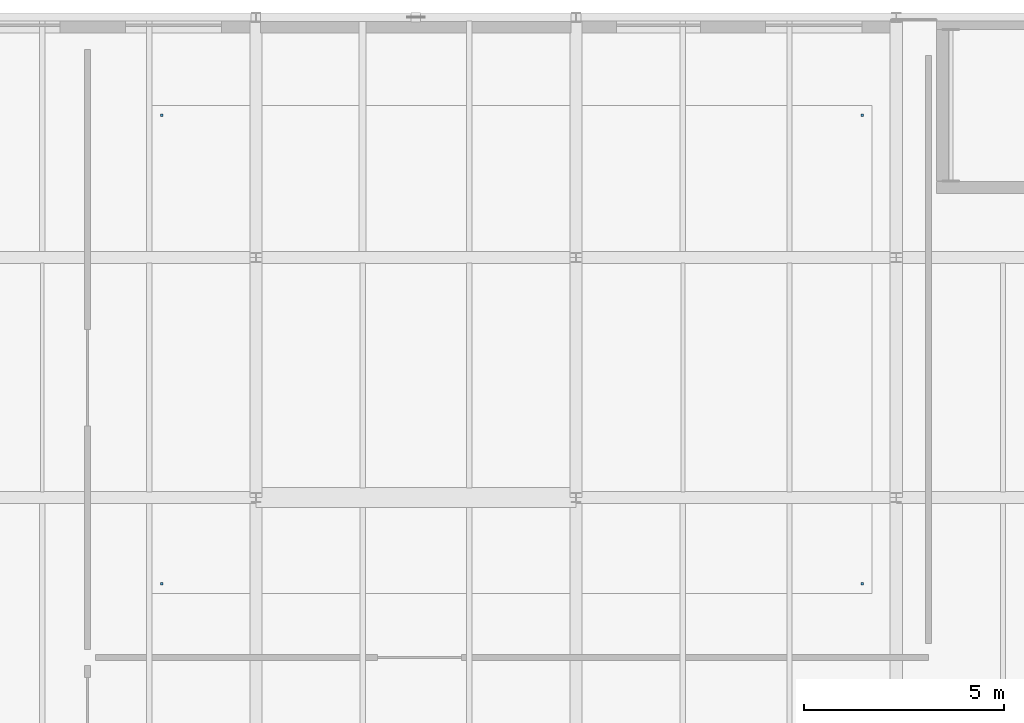
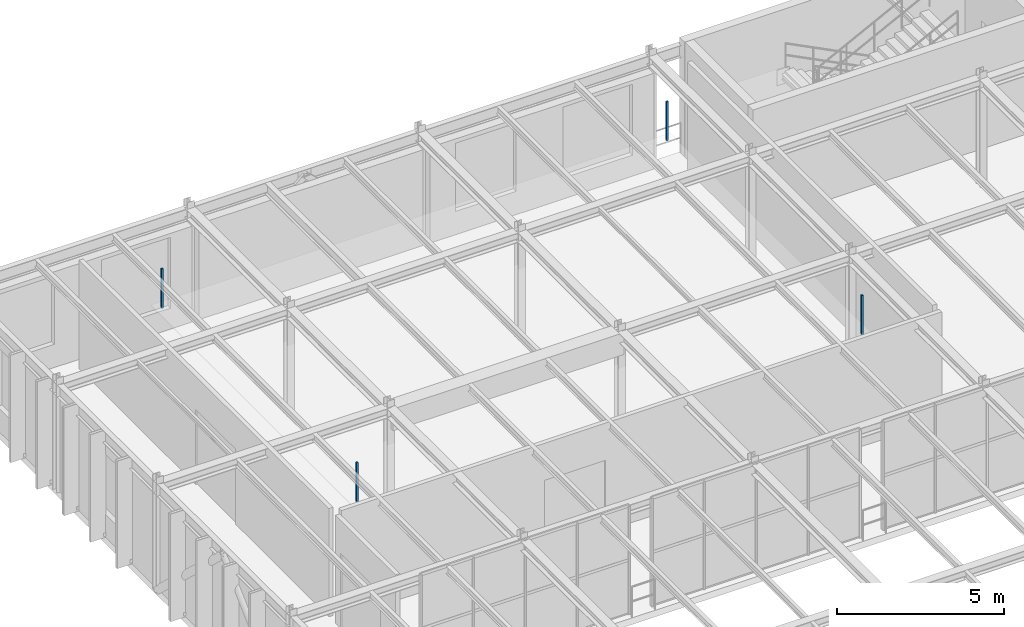
# One storey, part 95 of 124: 4 discrete accessories.
"""IFC4 building model written with IfcOpenShell, lengths in metres."""

from ifc_helpers import new_model, si_unit, direction, frame, origin, origin_2d, place, context, subcontext, project, spatial, rectangle, extrude, material, type_object, element, save


model = new_model("IFC4")

# Units and contexts
model_context = context("Model", 3, precision=1e-05, world=origin(), true_north=direction((0.0, 1.0)))
body_context = subcontext(model_context, "Body", "Model", "MODEL_VIEW")
ifc_project = project(units=[si_unit("LENGTHUNIT", "METRE"), si_unit("AREAUNIT", "SQUARE_METRE"), si_unit("VOLUMEUNIT", "CUBIC_METRE"), si_unit("PLANEANGLEUNIT", "RADIAN"), si_unit("MASSUNIT", "GRAM", prefix="KILO")], contexts=[model_context])

# Site, building, storey
site_placement = place(None, origin())
site = spatial("IfcSite", under=ifc_project, at=site_placement, CompositionType="ELEMENT")
building_placement = place(site_placement, origin())
building = spatial("IfcBuilding", under=site, at=building_placement, Name="Sundkrona Museum", CompositionType="ELEMENT")
storey_placement = place(building_placement, frame((0.0, 0.0, 17.60009765625)))
storey = spatial("IfcBuildingStorey", under=building, at=storey_placement, Name="L03", CompositionType="ELEMENT", Elevation=17.60009765625)

# Discrete accessories
ifc_material = material(Name="Stainless Steel EN 1.4404 Cleat", Category="steel")
discrete_accessory_type = type_object("IfcDiscreteAccessoryType", Name="BRK-FIN-01", PredefinedType="BRACKET", material=ifc_material)
for number, where, z_axis, x_axis, name in (
    (1, (21.64990234375, 99.85009765625, 2.550048828125), (0.0, 0.0, 1.0), (1.0, 0.0, 0.0), "L03 Arctic Expeditions Gallery Ceiling Hanger 1"),
    (2, (39.14990234375, 99.85009765625, 2.550048828125), (0.0, 0.0, 1.0), (1.0, 0.0, 0.0), "L03 Arctic Expeditions Gallery Ceiling Hanger 2"),
    (3, (39.14990234375, 111.550048828125, 2.550048828125), (0.0, 0.0, 1.0), (1.0, 0.0, 0.0), "L03 Arctic Expeditions Gallery Ceiling Hanger 3"),
    (4, (21.64990234375, 111.550048828125, 2.550048828125), (0.0, 0.0, 1.0), (1.0, 0.0, 0.0), "L03 Arctic Expeditions Gallery Ceiling Hanger 4"),
):
    element("IfcDiscreteAccessory", number, at=place(storey_placement, frame(where, z_axis=z_axis, x_axis=x_axis)), inside=storey, type_object=discrete_accessory_type, Name=name, PredefinedType="BRACKET", context=body_context, shape_type="SweptSolid", body=[
        extrude(rectangle(XDim=0.06005859375, YDim=0.06005859375, at=origin_2d()), origin(), (0.0, 0.0, 1.0), 1.43994140625),
    ])

save(model, "model.ifc")
